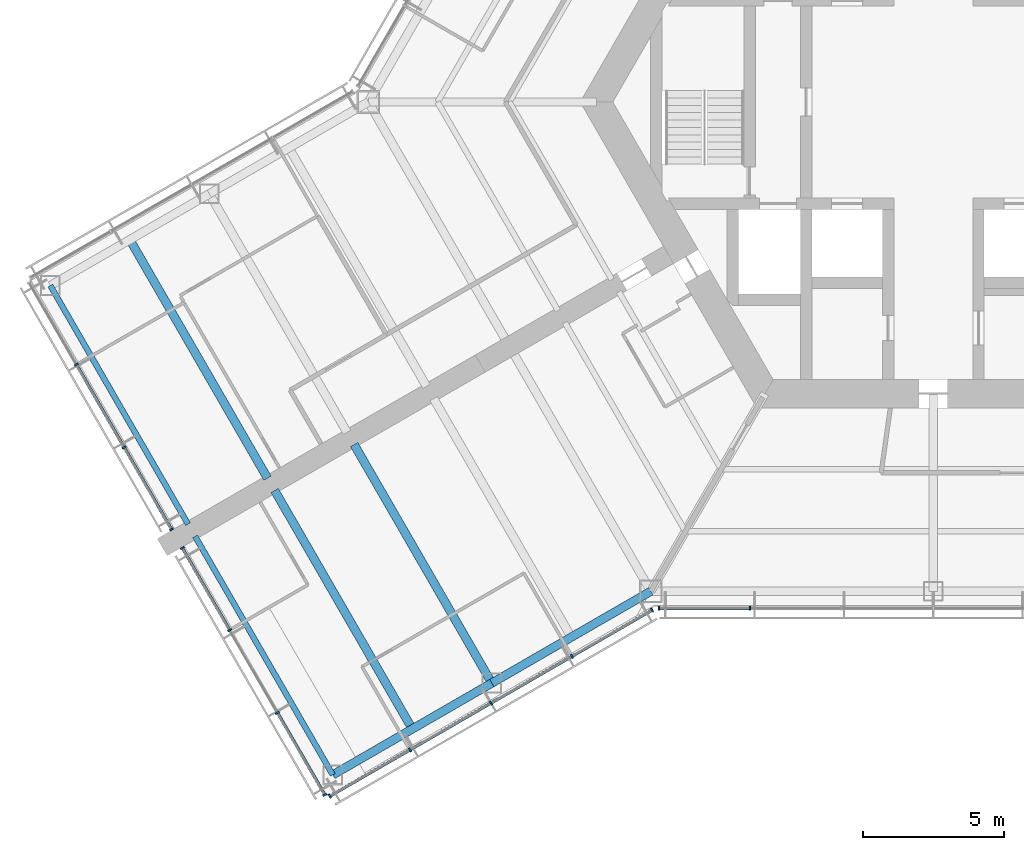
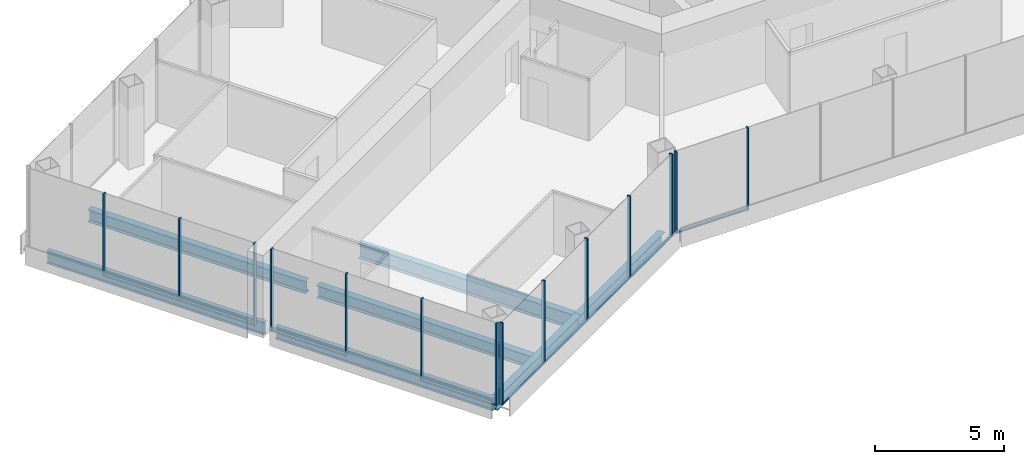
# One storey, part 2 of 18: 23 members, 7 beams, 4 elements without a shape of their own.
"""IFC4 building model written with IfcOpenShell, lengths in metres."""

import ifcopenshell
import ifcopenshell.guid

model = None  # the IFC model being written
_history = None  # IfcOwnerHistory: only IFC2X3 demands one
_inside = {}  # id of a spatial element -> (the spatial element, [elements in it])
_under = {}  # id of a project, library or spatial element -> (it, [spatial elements below it])
_declared = {}  # id of a project -> (the project, [libraries it declares])
_typed = {}  # id of a type object -> (the type object, [elements of that type])
_made_of = {}  # id of a material, layer set ... -> (it, [elements and type objects made of it])


def new_model(schema):
    """Start an empty IFC model of exactly this schema.

    Asked for "IFC4X3", IfcOpenShell would pick the latest addendum, in which some entities
    have other attributes; the version numbers below select the first issue.
    IFC2X3 requires an IfcOwnerHistory on every rooted entity: one is made here for all.
    """
    global model, _history
    if schema == "IFC4X3":
        model = ifcopenshell.file(schema_version=(4, 3, 0, 0))
    else:
        model = ifcopenshell.file(schema=schema)
    _inside.clear()
    _under.clear()
    _declared.clear()
    _typed.clear()
    _made_of.clear()
    _history = None
    if model.schema == "IFC2X3":
        org = make("IfcOrganization", Name="unknown")
        user = make(
            "IfcPersonAndOrganization",
            ThePerson=make("IfcPerson", FamilyName="unknown"),
            TheOrganization=org,
        )
        app = make(
            "IfcApplication",
            ApplicationDeveloper=org,
            Version="unknown",
            ApplicationFullName="unknown",
            ApplicationIdentifier="unknown",
        )
        _history = make(
            "IfcOwnerHistory",
            OwningUser=user,
            OwningApplication=app,
            ChangeAction="ADDED",
            CreationDate=0,
        )
    return model


def make(cls, **values):
    """One entity of the class cls with the attributes given. An attribute that is None is left unset."""
    return model.create_entity(
        cls, **{name: value for name, value in values.items() if value is not None}
    )


def rooted(cls, **values):
    """An entity with a GlobalId (a new one), such as an element, a storey or a relation."""
    return make(cls, GlobalId=ifcopenshell.guid.new(), OwnerHistory=_history, **values)


def si_unit(unit_type, name, prefix=None):
    """IfcSIUnit, for example si_unit("LENGTHUNIT", "METRE", prefix="MILLI")."""
    return make("IfcSIUnit", UnitType=unit_type, Prefix=prefix, Name=name)


def assignment(units):
    """IfcUnitAssignment: the units of a project."""
    return None if units is None else make("IfcUnitAssignment", Units=units)


def point(xyz):
    """IfcCartesianPoint."""
    return None if xyz is None else make("IfcCartesianPoint", Coordinates=xyz)


def direction(xyz):
    """IfcDirection."""
    return None if xyz is None else make("IfcDirection", DirectionRatios=xyz)


def frame(location, z_axis=None, x_axis=None):
    """IfcAxis2Placement3D, a coordinate frame: its origin and axes. An axis left out is left unset."""
    return make(
        "IfcAxis2Placement3D",
        Location=point(location),
        Axis=direction(z_axis),
        RefDirection=direction(x_axis),
    )


def frame_2d(location, x_axis=None):
    """IfcAxis2Placement2D, a coordinate frame in the plane: its origin and x axis."""
    return make(
        "IfcAxis2Placement2D", Location=point(location), RefDirection=direction(x_axis)
    )


def origin():
    """The frame at (0, 0, 0) with its axes left unset."""
    return frame((0.0, 0.0, 0.0))


def origin_2d():
    """The frame at (0, 0) in the plane with its x axis left unset."""
    return frame_2d((0.0, 0.0))


def place(relative_to, where):
    """IfcLocalPlacement: puts the frame where relative to a parent placement (None: the world)."""
    return make(
        "IfcLocalPlacement", PlacementRelTo=relative_to, RelativePlacement=where
    )


def context(
    kind, dimensions, precision=None, world=None, true_north=None, identifier=None
):
    """IfcGeometricRepresentationContext, for example the 3D "Model" context."""
    return make(
        "IfcGeometricRepresentationContext",
        ContextIdentifier=identifier,
        ContextType=kind,
        CoordinateSpaceDimension=dimensions,
        Precision=precision,
        WorldCoordinateSystem=world,
        TrueNorth=true_north,
    )


def subcontext(parent, identifier, kind, view, scale=None):
    """IfcGeometricRepresentationSubContext, for example "Body" below "Model"."""
    return make(
        "IfcGeometricRepresentationSubContext",
        ContextIdentifier=identifier,
        ContextType=kind,
        ParentContext=parent,
        TargetScale=scale,
        TargetView=view,
    )


def project(units=None, contexts=None):
    """IfcProject with its units and contexts."""
    return rooted(
        "IfcProject",
        Name="project",
        RepresentationContexts=contexts,
        UnitsInContext=assignment(units),
    )


def spatial(cls, under=None, at=None, **own):
    """A site, building, storey or space (cls), placed at a placement, below another one or the project."""
    s = rooted(cls, ObjectPlacement=at, **own)
    if under is not None:
        _under.setdefault(under.id(), (under, []))[1].append(s)
    return s


def profile(cls, at=None, kind="AREA", **sizes):
    """A parametric profile (cls). Its sizes go by their IFC names, for example OverallWidth=200.0."""
    return make(cls, ProfileType=kind, Position=at, **sizes)


def rectangle(**sizes):
    """IfcRectangleProfileDef."""
    return profile("IfcRectangleProfileDef", **sizes)


def i_section(**sizes):
    """IfcIShapeProfileDef."""
    return profile("IfcIShapeProfileDef", **sizes)


def extrude(swept, where, along, depth):
    """IfcExtrudedAreaSolid: the profile swept, set in the frame where, extruded along a direction by depth."""
    return make(
        "IfcExtrudedAreaSolid",
        SweptArea=swept,
        Position=where,
        ExtrudedDirection=direction(along),
        Depth=depth,
    )


def shape(context_of_items, identifier, shape_type, items):
    """IfcShapeRepresentation: the items that make up one representation, for example the "Body"."""
    return make(
        "IfcShapeRepresentation",
        ContextOfItems=context_of_items,
        RepresentationIdentifier=identifier,
        RepresentationType=shape_type,
        Items=items,
    )


def material(Name=None, Category=None):
    """IfcMaterial."""
    return make("IfcMaterial", Name=Name, Category=Category)


def material_profile(
    of_material, cross_section, Name=None, Category=None, Priority=None
):
    """IfcMaterialProfile: a cross section and its material."""
    return make(
        "IfcMaterialProfile",
        Name=Name,
        Material=of_material,
        Profile=cross_section,
        Priority=Priority,
        Category=Category,
    )


def profile_set(profiles, Name=None, composite=None):
    """IfcMaterialProfileSet."""
    return make(
        "IfcMaterialProfileSet",
        Name=Name,
        MaterialProfiles=profiles,
        CompositeProfile=composite,
    )


def made_of(thing, what):
    """Note that an element or type object is made of a material, layer set ...; save() writes the relation."""
    if what is not None:
        _made_of.setdefault(what.id(), (what, []))[1].append(thing)
    return thing


def type_object(cls, material=None, **own):
    """A type object (cls), such as IfcWallType, which elements share."""
    return made_of(rooted(cls, **own), material)


def element(
    cls,
    number,
    at=None,
    inside=None,
    cuts=None,
    type_object=None,
    material=None,
    context=None,
    identifier="Body",
    shape_type=None,
    held_by="IfcProductDefinitionShape",
    body=None,
    shapes=None,
    **own,
):
    """One element of the class cls, such as IfcWall. Its Tag is "e" and its number.

    at: its placement. inside: the storey or other place that contains it. cuts: it is an
    opening in that element (IfcRelVoidsElement). A single representation is given by context,
    identifier, shape_type and body (its items); several are given by shapes. held_by: the class
    of the entity that holds the representations. save() writes the other relations.
    """
    e = rooted(cls, Tag="e%d" % number, ObjectPlacement=at, **own)
    if body is not None:
        shapes = [shape(context, identifier, shape_type, body)]
    if shapes is not None:
        e.Representation = make(held_by, Representations=shapes)
    if inside is not None:
        _inside.setdefault(inside.id(), (inside, []))[1].append(e)
    if cuts is not None:
        rooted(
            "IfcRelVoidsElement", RelatingBuildingElement=cuts, RelatedOpeningElement=e
        )
    if type_object is not None:
        _typed.setdefault(type_object.id(), (type_object, []))[1].append(e)
    return made_of(e, material)


def aggregate(whole, parts):
    """IfcRelAggregates: a whole, such as a stair, and the parts it consists of."""
    return rooted("IfcRelAggregates", RelatingObject=whole, RelatedObjects=parts)


def save(model, path):
    """Write the relations noted so far, then the file.

    IfcRelAggregates (storeys below a building ...), IfcRelContainedInSpatialStructure (elements
    in a storey), IfcRelDefinesByType, IfcRelAssociatesMaterial and IfcRelDeclares: one each for
    every whole, place, type object, material and project.
    """
    for whole, parts in _under.values():
        aggregate(whole, parts)
    for where, things in _inside.values():
        rooted(
            "IfcRelContainedInSpatialStructure",
            RelatedElements=things,
            RelatingStructure=where,
        )
    for kind, things in _typed.values():
        rooted("IfcRelDefinesByType", RelatedObjects=things, RelatingType=kind)
    for what, things in _made_of.values():
        rooted("IfcRelAssociatesMaterial", RelatedObjects=things, RelatingMaterial=what)
    for by, libraries in _declared.values():
        rooted("IfcRelDeclares", RelatingContext=by, RelatedDefinitions=libraries)
    model.write(path)


model = new_model("IFC4")

# Units and contexts
model_context = context("Model", 3, precision=1e-05, world=origin(), true_north=direction((0.0, 1.0)))
body_context = subcontext(model_context, "Body", "Model", "MODEL_VIEW")
ifc_project = project(units=[si_unit("LENGTHUNIT", "METRE"), si_unit("AREAUNIT", "SQUARE_METRE"), si_unit("VOLUMEUNIT", "CUBIC_METRE"), si_unit("PLANEANGLEUNIT", "RADIAN"), si_unit("MASSUNIT", "GRAM", prefix="KILO")], contexts=[model_context])

# Site, building, storey
site_placement = place(None, origin())
site = spatial("IfcSite", under=ifc_project, at=site_placement, CompositionType="ELEMENT")
building_placement = place(site_placement, origin())
building = spatial("IfcBuilding", under=site, at=building_placement, Name="Kasaneha Research Tower", CompositionType="ELEMENT")
storey_placement = place(building_placement, frame((0.0, 0.0, 148.699951171875)))
storey = spatial("IfcBuildingStorey", under=building, at=storey_placement, Name="L37", CompositionType="ELEMENT", Elevation=148.699951171875)

# Beams
ifc_material_1 = material(Name="Steel SN490B", Category="steel")
ifc_material_profile_1 = material_profile(ifc_material_1, i_section(OverallWidth=0.300048828125, OverallDepth=0.58203125, WebThickness=0.011962890625, FlangeThickness=0.01708984375, FilletRadius=0.012939453125, at=origin_2d()), Name="H-582x300x12x17")
ifc_profile_set_1 = profile_set([ifc_material_profile_1], Name="Steel SN490B")
beam_type_1 = type_object("IfcBeamType", Name="B2-3 secondary beam H-582x300x12x17", PredefinedType="JOIST", material=ifc_profile_set_1)
for number, where, z_axis, x_axis, name in (
    (1, (-28.44384765625, -4.875, -0.44091796875), (0.499995560238, -0.866027967067, 0.0), (0.866027967067, 0.499995560238, 0.0), "Secondary beam WBBP2 L37"),
    (2, (-18.44384765625, -22.195556640625, -0.44091796875), (-0.499995560238, 0.866027967067, 0.0), (-0.866027967067, -0.499995560238, 0.0), "Secondary beam WBBN2 L37"),
):
    element("IfcBeam", number, at=place(storey_placement, frame(where, z_axis=z_axis, x_axis=x_axis)), inside=storey, type_object=beam_type_1, Name=name, PredefinedType="JOIST", context=body_context, shape_type="SweptSolid", body=[
        extrude(i_section(OverallWidth=0.300048828125, OverallDepth=0.58203125, WebThickness=0.011962890625, FlangeThickness=0.01708984375, FilletRadius=0.012939453125, at=origin_2d()), origin(), (0.0, 0.0, 1.0), 9.75),
    ])

# Curtain wall, members
ifc_material_2 = material(Name="Glass and aluminium", Category="aluminium")
curtain_wall_type = type_object("IfcCurtainWallType", Name="Mid-rise office curtain wall", PredefinedType="USERDEFINED", material=ifc_material_2)
curtain_wall_1_placement = place(storey_placement, origin())
curtain_wall_1 = element("IfcCurtainWall", 3, at=curtain_wall_1_placement, inside=storey, type_object=curtain_wall_type, Name="CW-O2 L37 run 01a", ObjectType="UNITISED CURTAIN WALL", PredefinedType="USERDEFINED")
ifc_material_3 = material(Name="Aluminium 6063-T6", Category="aluminium")
ifc_material_profile_2 = material_profile(ifc_material_3, rectangle(XDim=0.06005859375, YDim=0.14990234375, at=origin_2d()), Name="CW-O2 mullion 60x150")
ifc_profile_set_2 = profile_set([ifc_material_profile_2], Name="Aluminium 6063-T6")
member_type_1 = type_object("IfcMemberType", Name="CW-O2 mullion", PredefinedType="MULLION", material=ifc_profile_set_2)
member_1_placement = place(storey_placement, frame((-9.709228515625, -17.92041015625, 0.0), z_axis=(0.0, 0.0, 1.0), x_axis=(1.0, 0.0, 0.0)))
member_1 = element("IfcMember", 4, at=member_1_placement, type_object=member_type_1, Name="CW-O2 mullion 1", PredefinedType="MULLION", context=body_context, shape_type="SweptSolid", body=[
    extrude(rectangle(XDim=0.06005859375, YDim=0.14990234375, at=origin_2d()), origin(), (0.0, 0.0, 1.0), 3.900146484375),
])
member_2_placement = place(storey_placement, frame((-6.492919921875, -17.92041015625, 0.0), z_axis=(0.0, 0.0, 1.0), x_axis=(1.0, 0.0, 0.0)))
member_2 = element("IfcMember", 5, at=member_2_placement, type_object=member_type_1, Name="CW-O2 mullion 2", PredefinedType="MULLION", context=body_context, shape_type="SweptSolid", body=[
    extrude(rectangle(XDim=0.06005859375, YDim=0.14990234375, at=origin_2d()), origin(), (0.0, 0.0, 1.0), 3.900146484375),
])

curtain_wall_2_placement = place(storey_placement, origin())
curtain_wall_2 = element("IfcCurtainWall", 6, at=curtain_wall_2_placement, inside=storey, type_object=curtain_wall_type, Name="CW-O2 L37 run 10a", ObjectType="UNITISED CURTAIN WALL", PredefinedType="USERDEFINED")
member_3_placement = place(storey_placement, frame((-30.336181640625, -9.297119140625, 0.0), z_axis=(0.0, 0.0, 1.0), x_axis=(0.500000011442, -0.866025397178, 0.0)))
member_3 = element("IfcMember", 7, at=member_3_placement, type_object=member_type_1, Name="CW-O2 mullion 2", PredefinedType="MULLION", context=body_context, shape_type="SweptSolid", body=[
    extrude(rectangle(XDim=0.06005859375, YDim=0.14990234375, at=origin_2d()), origin(), (0.0, 0.0, 1.0), 3.900146484375),
])
member_4_placement = place(storey_placement, frame((-28.64453125, -12.22705078125, 0.0), z_axis=(0.0, 0.0, 1.0), x_axis=(0.500000011442, -0.866025397178, 0.0)))
member_4 = element("IfcMember", 8, at=member_4_placement, type_object=member_type_1, Name="CW-O2 mullion 3", PredefinedType="MULLION", context=body_context, shape_type="SweptSolid", body=[
    extrude(rectangle(XDim=0.06005859375, YDim=0.14990234375, at=origin_2d()), origin(), (0.0, 0.0, 1.0), 3.900146484375),
])
member_5_placement = place(storey_placement, frame((-26.968017578125, -15.131103515625, 0.0), z_axis=(0.0, 0.0, 1.0), x_axis=(0.500000011442, -0.866025397178, 0.0)))
member_5 = element("IfcMember", 9, at=member_5_placement, type_object=member_type_1, Name="CW-O2 mullion 4", PredefinedType="MULLION", context=body_context, shape_type="SweptSolid", body=[
    extrude(rectangle(XDim=0.06005859375, YDim=0.14990234375, at=origin_2d()), origin(), (0.0, 0.0, 1.0), 3.900146484375),
])

curtain_wall_3_placement = place(storey_placement, origin())
curtain_wall_3 = element("IfcCurtainWall", 10, at=curtain_wall_3_placement, inside=storey, type_object=curtain_wall_type, Name="CW-O2 L37 run 11a", ObjectType="UNITISED CURTAIN WALL", PredefinedType="USERDEFINED")
member_6_placement = place(storey_placement, frame((-26.587890625, -15.789306640625, 0.0), z_axis=(0.0, 0.0, 1.0), x_axis=(0.500000011442, -0.866025397178, 0.0)))
member_6 = element("IfcMember", 11, at=member_6_placement, type_object=member_type_1, Name="CW-O2 mullion 1", PredefinedType="MULLION", context=body_context, shape_type="SweptSolid", body=[
    extrude(rectangle(XDim=0.06005859375, YDim=0.14990234375, at=origin_2d()), origin(), (0.0, 0.0, 1.0), 3.900146484375),
])
member_7_placement = place(storey_placement, frame((-24.911376953125, -18.693359375, 0.0), z_axis=(0.0, 0.0, 1.0), x_axis=(0.500000011442, -0.866025397178, 0.0)))
member_7 = element("IfcMember", 12, at=member_7_placement, type_object=member_type_1, Name="CW-O2 mullion 2", PredefinedType="MULLION", context=body_context, shape_type="SweptSolid", body=[
    extrude(rectangle(XDim=0.06005859375, YDim=0.14990234375, at=origin_2d()), origin(), (0.0, 0.0, 1.0), 3.900146484375),
])
member_8_placement = place(storey_placement, frame((-23.2197265625, -21.62353515625, 0.0), z_axis=(0.0, 0.0, 1.0), x_axis=(0.500000011442, -0.866025397178, 0.0)))
member_8 = element("IfcMember", 13, at=member_8_placement, type_object=member_type_1, Name="CW-O2 mullion 3", PredefinedType="MULLION", context=body_context, shape_type="SweptSolid", body=[
    extrude(rectangle(XDim=0.06005859375, YDim=0.14990234375, at=origin_2d()), origin(), (0.0, 0.0, 1.0), 3.900146484375),
])
member_9_placement = place(storey_placement, frame((-21.54296875, -24.527587890625, 0.0), z_axis=(0.0, 0.0, 1.0), x_axis=(0.500000011442, -0.866025397178, 0.0)))
member_9 = element("IfcMember", 14, at=member_9_placement, type_object=member_type_1, Name="CW-O2 mullion 4", PredefinedType="MULLION", context=body_context, shape_type="SweptSolid", body=[
    extrude(rectangle(XDim=0.06005859375, YDim=0.14990234375, at=origin_2d()), origin(), (0.0, 0.0, 1.0), 3.900146484375),
])

curtain_wall_4_placement = place(storey_placement, origin())
curtain_wall_4 = element("IfcCurtainWall", 15, at=curtain_wall_4_placement, inside=storey, type_object=curtain_wall_type, Name="CW-O2 L37 run 12a", ObjectType="UNITISED CURTAIN WALL", PredefinedType="USERDEFINED")
member_10_placement = place(storey_placement, frame((-21.365478515625, -24.5751953125, 0.0), z_axis=(0.0, 0.0, 1.0), x_axis=(0.866025411464, 0.499999986699, 0.0)))
member_10 = element("IfcMember", 16, at=member_10_placement, type_object=member_type_1, Name="CW-O2 mullion 1", PredefinedType="MULLION", context=body_context, shape_type="SweptSolid", body=[
    extrude(rectangle(XDim=0.06005859375, YDim=0.14990234375, at=origin_2d()), origin(), (0.0, 0.0, 1.0), 3.900146484375),
])
member_11_placement = place(storey_placement, frame((-18.52490234375, -22.935302734375, 0.0), z_axis=(0.0, 0.0, 1.0), x_axis=(0.866025411464, 0.499999986699, 0.0)))
member_11 = element("IfcMember", 17, at=member_11_placement, type_object=member_type_1, Name="CW-O2 mullion 2", PredefinedType="MULLION", context=body_context, shape_type="SweptSolid", body=[
    extrude(rectangle(XDim=0.06005859375, YDim=0.14990234375, at=origin_2d()), origin(), (0.0, 0.0, 1.0), 3.900146484375),
])
member_12_placement = place(storey_placement, frame((-15.65869140625, -21.2802734375, 0.0), z_axis=(0.0, 0.0, 1.0), x_axis=(0.866025411464, 0.499999986699, 0.0)))
member_12 = element("IfcMember", 18, at=member_12_placement, type_object=member_type_1, Name="CW-O2 mullion 3", PredefinedType="MULLION", context=body_context, shape_type="SweptSolid", body=[
    extrude(rectangle(XDim=0.06005859375, YDim=0.14990234375, at=origin_2d()), origin(), (0.0, 0.0, 1.0), 3.900146484375),
])
member_13_placement = place(storey_placement, frame((-12.792236328125, -19.62548828125, 0.0), z_axis=(0.0, 0.0, 1.0), x_axis=(0.866025411464, 0.499999986699, 0.0)))
member_13 = element("IfcMember", 19, at=member_13_placement, type_object=member_type_1, Name="CW-O2 mullion 4", PredefinedType="MULLION", context=body_context, shape_type="SweptSolid", body=[
    extrude(rectangle(XDim=0.06005859375, YDim=0.14990234375, at=origin_2d()), origin(), (0.0, 0.0, 1.0), 3.900146484375),
])
member_14_placement = place(storey_placement, frame((-9.951904296875, -17.985595703125, 0.0), z_axis=(0.0, 0.0, 1.0), x_axis=(0.866025411464, 0.499999986699, 0.0)))
member_14 = element("IfcMember", 20, at=member_14_placement, type_object=member_type_1, Name="CW-O2 mullion 5", PredefinedType="MULLION", context=body_context, shape_type="SweptSolid", body=[
    extrude(rectangle(XDim=0.06005859375, YDim=0.14990234375, at=origin_2d()), origin(), (0.0, 0.0, 1.0), 3.900146484375),
])

# Member
ifc_material_4 = material(Name="Aluminium 6063-T6", Category="aluminium")
ifc_material_profile_3 = material_profile(ifc_material_4, rectangle(XDim=0.110107421875, YDim=0.06005859375, at=origin_2d()), Name="CW-O2 transom 110x60")
ifc_profile_set_3 = profile_set([ifc_material_profile_3], Name="Aluminium 6063-T6")
member_type_2 = type_object("IfcMemberType", Name="CW-O2 transom", PredefinedType="USERDEFINED", material=ifc_profile_set_3)
member_15_placement = place(storey_placement, frame((-9.67919921875, -17.92041015625, 0.030029296875), z_axis=(1.0, 0.0, 0.0), x_axis=(0.0, 1.0, 0.0)))
member_15 = element("IfcMember", 21, at=member_15_placement, type_object=member_type_2, Name="CW-O2 transom 1", ObjectType="TRANSOM", PredefinedType="USERDEFINED", context=body_context, shape_type="SweptSolid", body=[
    extrude(rectangle(XDim=0.110107421875, YDim=0.06005859375, at=origin_2d()), origin(), (0.0, 0.0, 1.0), 3.156494140625),
])

aggregate(curtain_wall_1, [member_1, member_2, member_15])

member_16_placement = place(storey_placement, frame((-30.3212890625, -9.322998046875, 0.030029296875), z_axis=(0.499978935311, -0.866037565146, 0.0), x_axis=(0.866037565146, 0.499978935311, 0.0)))
member_16 = element("IfcMember", 22, at=member_16_placement, type_object=member_type_2, Name="CW-O2 transom 2", ObjectType="TRANSOM", PredefinedType="USERDEFINED", context=body_context, shape_type="SweptSolid", body=[
    extrude(rectangle(XDim=0.110107421875, YDim=0.06005859375, at=origin_2d()), origin(), (0.0, 0.0, 1.0), 3.323486328125),
])

member_17_placement = place(storey_placement, frame((-28.629638671875, -12.253173828125, 0.030029296875), z_axis=(0.500021914551, -0.866012751043, 0.0), x_axis=(0.866012751043, 0.500021914551, 0.0)))
member_17 = element("IfcMember", 23, at=member_17_placement, type_object=member_type_2, Name="CW-O2 transom 3", ObjectType="TRANSOM", PredefinedType="USERDEFINED", context=body_context, shape_type="SweptSolid", body=[
    extrude(rectangle(XDim=0.110107421875, YDim=0.06005859375, at=origin_2d()), origin(), (0.0, 0.0, 1.0), 3.293212890625),
])

aggregate(curtain_wall_2, [member_3, member_4, member_5, member_16, member_17])

member_18_placement = place(storey_placement, frame((-26.572998046875, -15.8154296875, 0.030029296875), z_axis=(0.500021914551, -0.866012751043, 0.0), x_axis=(0.866012751043, 0.500021914551, 0.0)))
member_18 = element("IfcMember", 24, at=member_18_placement, type_object=member_type_2, Name="CW-O2 transom 1", ObjectType="TRANSOM", PredefinedType="USERDEFINED", context=body_context, shape_type="SweptSolid", body=[
    extrude(rectangle(XDim=0.110107421875, YDim=0.06005859375, at=origin_2d()), origin(), (0.0, 0.0, 1.0), 3.293212890625),
])

member_19_placement = place(storey_placement, frame((-23.20458984375, -21.6494140625, 0.030029296875), z_axis=(0.500021914551, -0.866012751043, 0.0), x_axis=(0.866012751043, 0.500021914551, 0.0)))
member_19 = element("IfcMember", 25, at=member_19_placement, type_object=member_type_2, Name="CW-O2 transom 3", ObjectType="TRANSOM", PredefinedType="USERDEFINED", context=body_context, shape_type="SweptSolid", body=[
    extrude(rectangle(XDim=0.110107421875, YDim=0.06005859375, at=origin_2d()), origin(), (0.0, 0.0, 1.0), 3.293212890625),
])

aggregate(curtain_wall_3, [member_6, member_7, member_8, member_9, member_18, member_19])

member_20_placement = place(storey_placement, frame((-21.33935546875, -24.56005859375, 0.030029296875), z_axis=(0.866022692473, 0.500004696101, 0.0), x_axis=(-0.500004696101, 0.866022692473, 0.0)))
member_20 = element("IfcMember", 26, at=member_20_placement, type_object=member_type_2, Name="CW-O2 transom 1", ObjectType="TRANSOM", PredefinedType="USERDEFINED", context=body_context, shape_type="SweptSolid", body=[
    extrude(rectangle(XDim=0.110107421875, YDim=0.06005859375, at=origin_2d()), origin(), (0.0, 0.0, 1.0), 3.2197265625),
])

member_21_placement = place(storey_placement, frame((-18.4990234375, -22.920166015625, 0.030029296875), z_axis=(0.86604797581, 0.499960902066, 0.0), x_axis=(-0.499960902066, 0.86604797581, 0.0)))
member_21 = element("IfcMember", 27, at=member_21_placement, type_object=member_type_2, Name="CW-O2 transom 2", ObjectType="TRANSOM", PredefinedType="USERDEFINED", context=body_context, shape_type="SweptSolid", body=[
    extrude(rectangle(XDim=0.110107421875, YDim=0.06005859375, at=origin_2d()), origin(), (0.0, 0.0, 1.0), 3.249755859375),
])

member_22_placement = place(storey_placement, frame((-15.632568359375, -21.265380859375, 0.030029296875), z_axis=(0.866015446554, 0.500017246033, 0.0), x_axis=(-0.500017246033, 0.866015446554, 0.0)))
member_22 = element("IfcMember", 28, at=member_22_placement, type_object=member_type_2, Name="CW-O2 transom 3", ObjectType="TRANSOM", PredefinedType="USERDEFINED", context=body_context, shape_type="SweptSolid", body=[
    extrude(rectangle(XDim=0.110107421875, YDim=0.06005859375, at=origin_2d()), origin(), (0.0, 0.0, 1.0), 3.25),
])

member_23_placement = place(storey_placement, frame((-12.76611328125, -19.6103515625, 0.030029296875), z_axis=(0.866022692473, 0.500004696101, 0.0), x_axis=(-0.500004696101, 0.866022692473, 0.0)))
member_23 = element("IfcMember", 29, at=member_23_placement, type_object=member_type_2, Name="CW-O2 transom 4", ObjectType="TRANSOM", PredefinedType="USERDEFINED", context=body_context, shape_type="SweptSolid", body=[
    extrude(rectangle(XDim=0.110107421875, YDim=0.06005859375, at=origin_2d()), origin(), (0.0, 0.0, 1.0), 3.2197265625),
])

aggregate(curtain_wall_4, [member_10, member_11, member_12, member_13, member_14, member_20, member_21, member_22, member_23])

# Beams
ifc_material_5 = material(Name="Steel SN490B", Category="steel")
ifc_material_profile_4 = material_profile(ifc_material_5, i_section(OverallWidth=0.300048828125, OverallDepth=0.699951171875, WebThickness=0.012939453125, FlangeThickness=0.02392578125, FilletRadius=0.01806640625, at=origin_2d()), Name="H-700x300x13x24")
ifc_profile_set_4 = profile_set([ifc_material_profile_4], Name="Steel SN490B")
beam_type_2 = type_object("IfcBeamType", Name="G4-3 wing girder H-700x300x13x24", PredefinedType="BEAM", material=ifc_profile_set_4)
beam_placement = place(storey_placement, frame((-15.629150390625, -20.570556640625, -0.5), z_axis=(-0.499995560238, 0.866027967067, 0.0), x_axis=(-0.866027967067, -0.499995560238, 0.0)))
element("IfcBeam", 30, at=beam_placement, inside=storey, type_object=beam_type_2, Name="Wing girder WGBN L37", PredefinedType="BEAM", context=body_context, shape_type="SweptSolid", body=[
    extrude(i_section(OverallWidth=0.300048828125, OverallDepth=0.699951171875, WebThickness=0.012939453125, FlangeThickness=0.02392578125, FilletRadius=0.01806640625, at=origin_2d()), origin(), (0.0, 0.0, 1.0), 9.75),
])
ifc_material_6 = material(Name="Steel SN490B", Category="steel")
ifc_material_profile_5 = material_profile(ifc_material_6, i_section(OverallWidth=0.300048828125, OverallDepth=0.58203125, WebThickness=0.011962890625, FlangeThickness=0.01708984375, FilletRadius=0.012939453125, at=origin_2d()), Name="H-582x300x12x17")
ifc_profile_set_5 = profile_set([ifc_material_profile_5], Name="Steel SN490B")
beam_type_3 = type_object("IfcBeamType", Name="SB2-3 spandrel beam H-582x300x12x17", PredefinedType="SPANDREL", material=ifc_profile_set_5)
for number, where, z_axis, x_axis, name in (
    (31, (-10.0, -17.320556640625, -0.44091796875), (-0.866024837091, -0.50000098154, 0.0), (0.50000098154, -0.866024837091, 0.0), "Spandrel beam WSBN1 L37"),
    (32, (-15.629150390625, -20.570556640625, -0.44091796875), (-0.866024837091, -0.50000098154, 0.0), (0.50000098154, -0.866024837091, 0.0), "Spandrel beam WSBN2 L37"),
):
    element("IfcBeam", number, at=place(storey_placement, frame(where, z_axis=z_axis, x_axis=x_axis)), inside=storey, type_object=beam_type_3, Name=name, PredefinedType="SPANDREL", context=body_context, shape_type="SweptSolid", body=[
        extrude(i_section(OverallWidth=0.300048828125, OverallDepth=0.58203125, WebThickness=0.011962890625, FlangeThickness=0.01708984375, FilletRadius=0.012939453125, at=origin_2d()), origin(), (0.0, 0.0, 1.0), 6.5),
    ])
ifc_material_7 = material(Name="Steel SN490B", Category="steel")
ifc_material_profile_6 = material_profile(ifc_material_7, i_section(OverallWidth=0.199951171875, OverallDepth=0.60009765625, WebThickness=0.010986328125, FlangeThickness=0.01708984375, FilletRadius=0.012939453125, at=origin_2d()), Name="H-600x200x11x17")
ifc_profile_set_6 = profile_set([ifc_material_profile_6], Name="Steel SN490B")
beam_type_4 = type_object("IfcBeamType", Name="SB3-3 spandrel beam H-600x200x11x17", PredefinedType="SPANDREL", material=ifc_profile_set_6)
for number, where, z_axis, x_axis, name in (
    (33, (-31.25830078125, -6.5, -0.449951171875), (0.499995560238, -0.866027967067, 0.0), (0.866027967067, 0.499995560238, 0.0), "Spandrel beam WTBP L37"),
    (34, (-21.25830078125, -23.820556640625, -0.449951171875), (-0.499995560238, 0.866027967067, 0.0), (-0.866027967067, -0.499995560238, 0.0), "Spandrel beam WTBN L37"),
):
    element("IfcBeam", number, at=place(storey_placement, frame(where, z_axis=z_axis, x_axis=x_axis)), inside=storey, type_object=beam_type_4, Name=name, PredefinedType="SPANDREL", context=body_context, shape_type="SweptSolid", body=[
        extrude(i_section(OverallWidth=0.199951171875, OverallDepth=0.60009765625, WebThickness=0.010986328125, FlangeThickness=0.01708984375, FilletRadius=0.012939453125, at=origin_2d()), origin(), (0.0, 0.0, 1.0), 9.75),
    ])

save(model, "model.ifc")
